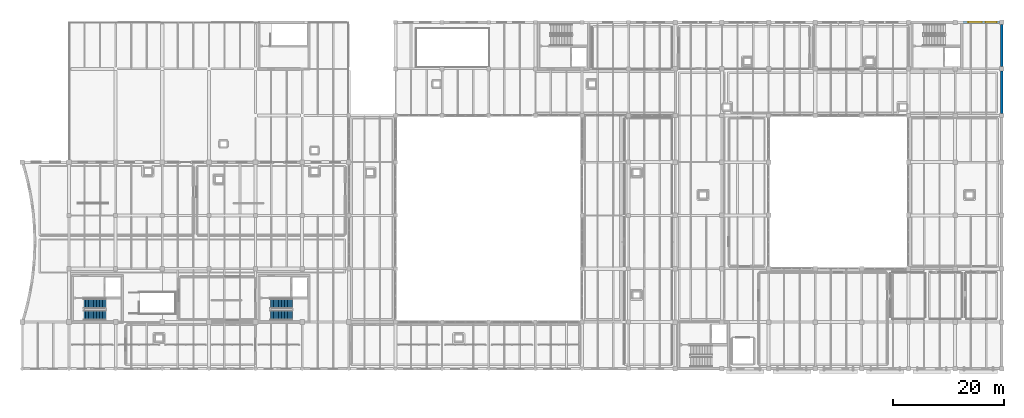
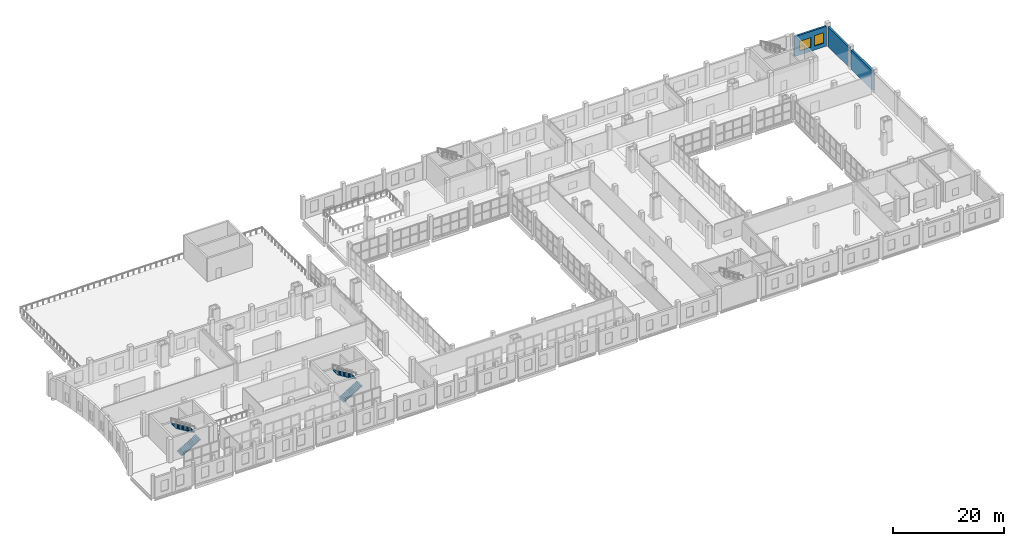
# One storey, part 63 of 73: 4 stair flights, 3 walls, 2 windows, 2 openings, 2 elements without a shape of their own.
"""IFC4 building model written with IfcOpenShell, lengths in metres."""

from ifc_helpers import new_model, si_unit, direction, frame, frame_2d, origin, place, context, subcontext, project, spatial, polyline, rectangle, outline, extrude, material, layer, layer_set, type_object, element, fill, aggregate, save


model = new_model("IFC4")

# Units and contexts
model_context = context("Model", 3, precision=1e-05, world=origin(), true_north=direction((0.0, 1.0)))
body_context = subcontext(model_context, "Body", "Model", "MODEL_VIEW")
ifc_project = project(units=[si_unit("LENGTHUNIT", "METRE"), si_unit("AREAUNIT", "SQUARE_METRE"), si_unit("VOLUMEUNIT", "CUBIC_METRE"), si_unit("PLANEANGLEUNIT", "RADIAN"), si_unit("MASSUNIT", "GRAM", prefix="KILO")], contexts=[model_context])

# Site, building, storey
site_placement = place(None, origin())
site = spatial("IfcSite", under=ifc_project, at=site_placement, CompositionType="ELEMENT")
building_placement = place(site_placement, origin())
building = spatial("IfcBuilding", under=site, at=building_placement, Name="Zulmaris Art Gallery", CompositionType="ELEMENT")
storey_placement = place(building_placement, frame((0.0, 0.0, 10.5)))
storey = spatial("IfcBuildingStorey", under=building, at=storey_placement, Name="L02", CompositionType="ELEMENT", Elevation=10.5)

# Walls
ifc_material_1 = material(Name="Omani Cream Limestone Ashlar Masonry", Category="masonry")
ifc_layer_1 = layer(ifc_material_1, 0.43994140625)
ifc_layer_set_1 = layer_set([ifc_layer_1], Name="Omani Cream Limestone Ashlar Masonry")
wall_type_1 = type_object("IfcWallType", Name="ENV-WALL-EW01", PredefinedType="SOLIDWALL", material=ifc_layer_set_1)
wall_1_placement = place(storey_placement, frame((200.39990234375, 59.201904296875, 0.0), z_axis=(0.0, 0.0, 1.0), x_axis=(0.0, 1.0, 0.0)))
element("IfcWall", 1, at=wall_1_placement, inside=storey, type_object=wall_type_1, Name="L02 V5 East Infill Party Wall", PredefinedType="SOLIDWALL", context=body_context, shape_type="SweptSolid", body=[
    extrude(rectangle(XDim=7.59619140625, YDim=0.43994140625, at=frame_2d((3.798095703125, 0.0))), origin(), (0.0, 0.0, 1.0), 4.300048828125),
])
wall_2_placement = place(storey_placement, frame((200.39990234375, 67.60205078125, 0.0), z_axis=(0.0, 0.0, 1.0), x_axis=(0.0, 1.0, 0.0)))
element("IfcWall", 2, at=wall_2_placement, inside=storey, type_object=wall_type_1, Name="L02 V5 East Infill Party Wall", PredefinedType="SOLIDWALL", context=body_context, shape_type="SweptSolid", body=[
    extrude(rectangle(XDim=7.595947265625, YDim=0.43994140625, at=frame_2d((3.7978515625, 0.0))), origin(), (0.0, 0.0, 1.0), 4.300048828125),
])

# Wall, openings, windows
ifc_material_2 = material(Name="Omani Desert Rose Limestone Cladding Wall", Category="masonry")
ifc_layer_2 = layer(ifc_material_2, 0.389892578125)
ifc_layer_set_2 = layer_set([ifc_layer_2], Name="Omani Desert Rose Limestone Cladding Wall")
wall_type_2 = type_object("IfcWallType", Name="ENV-WALL-EW02", PredefinedType="SOLIDWALL", material=ifc_layer_set_2)
wall_3_placement = place(storey_placement, frame((193.39208984375, 75.60009765625, 0.0), z_axis=(0.0, 0.0, 1.0), x_axis=(1.0, 0.0, 0.0)))
wall_3 = element("IfcWall", 3, at=wall_3_placement, inside=storey, type_object=wall_type_2, Name="L02 V5 North Studio Daylight Facade Bay 7", PredefinedType="SOLIDWALL", context=body_context, shape_type="SweptSolid", body=[
    extrude(rectangle(XDim=6.60595703125, YDim=0.389892578125, at=frame_2d((3.302978515625, 0.0))), origin(), (0.0, 0.0, 1.0), 4.35009765625),
])
opening_1_placement = place(wall_3_placement, frame((1.008056640625, 0.0, 0.85009765625)))
opening_1 = element("IfcOpeningElement", 4, at=opening_1_placement, cuts=wall_3, Name="Opening W05", PredefinedType="OPENING", context=body_context, shape_type="SweptSolid", body=[
    extrude(rectangle(XDim=2.39990234375, YDim=2.14990234375, at=frame_2d((1.199951171875, 1.074951171875))), frame((0.0, 0.204833984375, 0.0), z_axis=(0.0, -1.0, 0.0), x_axis=(1.0, 0.0, 0.0)), (0.0, 0.0, 1.0), 0.409912109375),
])
opening_2_placement = place(wall_3_placement, frame((4.10791015625, 0.0, 0.85009765625)))
opening_2 = element("IfcOpeningElement", 5, at=opening_2_placement, cuts=wall_3, Name="Opening W08", PredefinedType="OPENING", context=body_context, shape_type="SweptSolid", body=[
    extrude(rectangle(XDim=1.949951171875, YDim=2.300048828125, at=frame_2d((0.97509765625, 1.14990234375))), frame((0.0, 0.204833984375, 0.0), z_axis=(0.0, -1.0, 0.0), x_axis=(1.0, 0.0, 0.0)), (0.0, 0.0, 1.0), 0.409912109375),
])
ifc_material_3 = material(Name="North-Facing Conservation Daylight Window", Category="glass")
window_type_1 = type_object("IfcWindowType", Name="WIN-W05", PartitioningType="SINGLE_PANEL", PredefinedType="WINDOW", material=ifc_material_3)
window_1_placement = place(opening_1_placement, origin())
window_1 = element("IfcWindow", 6, at=window_1_placement, inside=storey, type_object=window_type_1, Name="L02 exterior window W05", OverallHeight=2.14990234375, OverallWidth=2.39990234375, PartitioningType="SINGLE_PANEL", PredefinedType="WINDOW", context=body_context, shape_type="SweptSolid", body=[
    extrude(rectangle(XDim=2.39990234375, YDim=2.14990234375, at=frame_2d((1.199951171875, 1.074951171875))), frame((0.0, 0.030029296875, 0.0), z_axis=(0.0, -1.0, 0.0), x_axis=(1.0, 0.0, 0.0)), (0.0, 0.0, 1.0), 0.06005859375),
])
fill(opening_1, window_1)
ifc_material_4 = material(Name="Curatorial North Studio Window", Category="glass")
window_type_2 = type_object("IfcWindowType", Name="WIN-W08", PartitioningType="SINGLE_PANEL", PredefinedType="WINDOW", material=ifc_material_4)
window_2_placement = place(opening_2_placement, origin())
window_2 = element("IfcWindow", 7, at=window_2_placement, inside=storey, type_object=window_type_2, Name="L02 exterior window W08", OverallHeight=2.300048828125, OverallWidth=1.949951171875, PartitioningType="SINGLE_PANEL", PredefinedType="WINDOW", context=body_context, shape_type="SweptSolid", body=[
    extrude(rectangle(XDim=1.949951171875, YDim=2.300048828125, at=frame_2d((0.97509765625, 1.14990234375))), frame((0.0, 0.030029296875, 0.0), z_axis=(0.0, -1.0, 0.0), x_axis=(1.0, 0.0, 0.0)), (0.0, 0.0, 1.0), 0.06005859375),
])
fill(opening_2, window_2)

# Stair, stair flights
ifc_material_5 = material(Name="Concrete C40/50", Category="concrete")
stair_type = type_object("IfcStairType", Name="STAIR-CORE", PredefinedType="HALF_TURN_STAIR", material=ifc_material_5)
stair_1_placement = place(storey_placement, origin())
stair_1 = element("IfcStair", 8, at=stair_1_placement, inside=storey, type_object=stair_type, Name="L02 Exit Stair ST1", PredefinedType="HALF_TURN_STAIR")
stair_flight_type = type_object("IfcStairFlightType", Name="STFLT-CORE", PredefinedType="STRAIGHT", material=ifc_material_5)
stair_flight_1_placement = place(storey_placement, frame((35.10009765625, 22.824951171875, 0.0), z_axis=(0.0, 0.0, 1.0), x_axis=(1.0, 0.0, 0.0)))
stair_flight_1 = element("IfcStairFlight", 9, at=stair_flight_1_placement, type_object=stair_flight_type, Name="ST1 flight 1", NumberOfRisers=15, NumberOfTreads=14, PredefinedType="STRAIGHT", RiserHeight=0.17, TreadLength=0.28, context=body_context, shape_type="SweptSolid", body=[
    extrude(outline(polyline([(0.0, 0.0), (0.0, 0.169921875), (0.280029296875, 0.169921875), (0.280029296875, 0.340087890625), (0.56005859375, 0.340087890625), (0.56005859375, 0.510009765625), (0.840087890625, 0.510009765625), (0.840087890625, 0.679931640625), (1.1201171875, 0.679931640625), (1.1201171875, 0.85009765625), (1.39990234375, 0.85009765625), (1.39990234375, 1.02001953125), (1.679931640625, 1.02001953125), (1.679931640625, 1.18994140625), (1.9599609375, 1.18994140625), (1.9599609375, 1.360107421875), (2.239990234375, 1.360107421875), (2.239990234375, 1.530029296875), (2.52001953125, 1.530029296875), (2.52001953125, 1.699951171875), (2.800048828125, 1.699951171875), (2.800048828125, 1.8701171875), (3.080078125, 1.8701171875), (3.080078125, 2.0400390625), (3.360107421875, 2.0400390625), (3.360107421875, 2.2099609375), (3.639892578125, 2.2099609375), (3.639892578125, 2.3798828125), (3.919921875, 2.3798828125), (3.919921875, 2.550048828125), (3.919921875, 2.20458984375), (0.288818359375, 0.0), (0.0, 0.0)])), frame((0.0, 0.875, 0.0), z_axis=(0.0, -1.0, 0.0), x_axis=(1.0, 0.0, 0.0)), (0.0, 0.0, 1.0), 1.75),
])
stair_flight_2_placement = place(storey_placement, frame((39.02001953125, 24.9150390625, 2.550048828125), z_axis=(0.0, 0.0, 1.0), x_axis=(-1.0, 0.0, 0.0)))
stair_flight_2 = element("IfcStairFlight", 10, at=stair_flight_2_placement, type_object=stair_flight_type, Name="ST1 flight 2", NumberOfRisers=15, NumberOfTreads=14, PredefinedType="STRAIGHT", RiserHeight=0.17, TreadLength=0.28, context=body_context, shape_type="SweptSolid", body=[
    extrude(outline(polyline([(0.0, 0.0), (0.0, 0.169921875), (0.280029296875, 0.169921875), (0.280029296875, 0.340087890625), (0.56005859375, 0.340087890625), (0.56005859375, 0.510009765625), (0.840087890625, 0.510009765625), (0.840087890625, 0.679931640625), (1.1201171875, 0.679931640625), (1.1201171875, 0.85009765625), (1.39990234375, 0.85009765625), (1.39990234375, 1.02001953125), (1.679931640625, 1.02001953125), (1.679931640625, 1.18994140625), (1.9599609375, 1.18994140625), (1.9599609375, 1.360107421875), (2.239990234375, 1.360107421875), (2.239990234375, 1.530029296875), (2.52001953125, 1.530029296875), (2.52001953125, 1.699951171875), (2.800048828125, 1.699951171875), (2.800048828125, 1.8701171875), (3.080078125, 1.8701171875), (3.080078125, 2.0400390625), (3.360107421875, 2.0400390625), (3.360107421875, 2.2099609375), (3.639892578125, 2.2099609375), (3.639892578125, 2.3798828125), (3.919921875, 2.3798828125), (3.919921875, 2.550048828125), (3.919921875, 2.20458984375), (0.288818359375, 0.0), (0.0, 0.0)])), frame((0.0, 0.875, 0.0), z_axis=(0.0, -1.0, 0.0), x_axis=(1.0, 0.0, 0.0)), (0.0, 0.0, 1.0), 1.75),
])
aggregate(stair_1, [stair_flight_1, stair_flight_2])

stair_2_placement = place(storey_placement, origin())
stair_2 = element("IfcStair", 11, at=stair_2_placement, inside=storey, type_object=stair_type, Name="L02 Exit Stair ST2", PredefinedType="HALF_TURN_STAIR")
stair_flight_3_placement = place(storey_placement, frame((68.699951171875, 22.824951171875, 0.0), z_axis=(0.0, 0.0, 1.0), x_axis=(1.0, 0.0, 0.0)))
stair_flight_3 = element("IfcStairFlight", 12, at=stair_flight_3_placement, type_object=stair_flight_type, Name="ST2 flight 1", NumberOfRisers=15, NumberOfTreads=14, PredefinedType="STRAIGHT", RiserHeight=0.17, TreadLength=0.28, context=body_context, shape_type="SweptSolid", body=[
    extrude(outline(polyline([(0.0, 0.0), (0.0, 0.169921875), (0.280029296875, 0.169921875), (0.280029296875, 0.340087890625), (0.56005859375, 0.340087890625), (0.56005859375, 0.510009765625), (0.840087890625, 0.510009765625), (0.840087890625, 0.679931640625), (1.1201171875, 0.679931640625), (1.1201171875, 0.85009765625), (1.39990234375, 0.85009765625), (1.39990234375, 1.02001953125), (1.679931640625, 1.02001953125), (1.679931640625, 1.18994140625), (1.9599609375, 1.18994140625), (1.9599609375, 1.360107421875), (2.239990234375, 1.360107421875), (2.239990234375, 1.530029296875), (2.52001953125, 1.530029296875), (2.52001953125, 1.699951171875), (2.800048828125, 1.699951171875), (2.800048828125, 1.8701171875), (3.080078125, 1.8701171875), (3.080078125, 2.0400390625), (3.360107421875, 2.0400390625), (3.360107421875, 2.2099609375), (3.639892578125, 2.2099609375), (3.639892578125, 2.3798828125), (3.919921875, 2.3798828125), (3.919921875, 2.550048828125), (3.919921875, 2.20458984375), (0.288818359375, 0.0), (0.0, 0.0)])), frame((0.0, 0.875, 0.0), z_axis=(0.0, -1.0, 0.0), x_axis=(1.0, 0.0, 0.0)), (0.0, 0.0, 1.0), 1.75),
])
stair_flight_4_placement = place(storey_placement, frame((72.6201171875, 24.9150390625, 2.550048828125), z_axis=(0.0, 0.0, 1.0), x_axis=(-1.0, 0.0, 0.0)))
stair_flight_4 = element("IfcStairFlight", 13, at=stair_flight_4_placement, type_object=stair_flight_type, Name="ST2 flight 2", NumberOfRisers=15, NumberOfTreads=14, PredefinedType="STRAIGHT", RiserHeight=0.17, TreadLength=0.28, context=body_context, shape_type="SweptSolid", body=[
    extrude(outline(polyline([(0.0, 0.0), (0.0, 0.169921875), (0.280029296875, 0.169921875), (0.280029296875, 0.340087890625), (0.56005859375, 0.340087890625), (0.56005859375, 0.510009765625), (0.840087890625, 0.510009765625), (0.840087890625, 0.679931640625), (1.1201171875, 0.679931640625), (1.1201171875, 0.85009765625), (1.39990234375, 0.85009765625), (1.39990234375, 1.02001953125), (1.679931640625, 1.02001953125), (1.679931640625, 1.18994140625), (1.9599609375, 1.18994140625), (1.9599609375, 1.360107421875), (2.239990234375, 1.360107421875), (2.239990234375, 1.530029296875), (2.52001953125, 1.530029296875), (2.52001953125, 1.699951171875), (2.800048828125, 1.699951171875), (2.800048828125, 1.8701171875), (3.080078125, 1.8701171875), (3.080078125, 2.0400390625), (3.360107421875, 2.0400390625), (3.360107421875, 2.2099609375), (3.639892578125, 2.2099609375), (3.639892578125, 2.3798828125), (3.919921875, 2.3798828125), (3.919921875, 2.550048828125), (3.919921875, 2.20458984375), (0.288818359375, 0.0), (0.0, 0.0)])), frame((0.0, 0.875, 0.0), z_axis=(0.0, -1.0, 0.0), x_axis=(1.0, 0.0, 0.0)), (0.0, 0.0, 1.0), 1.75),
])
aggregate(stair_2, [stair_flight_3, stair_flight_4])

save(model, "model.ifc")
